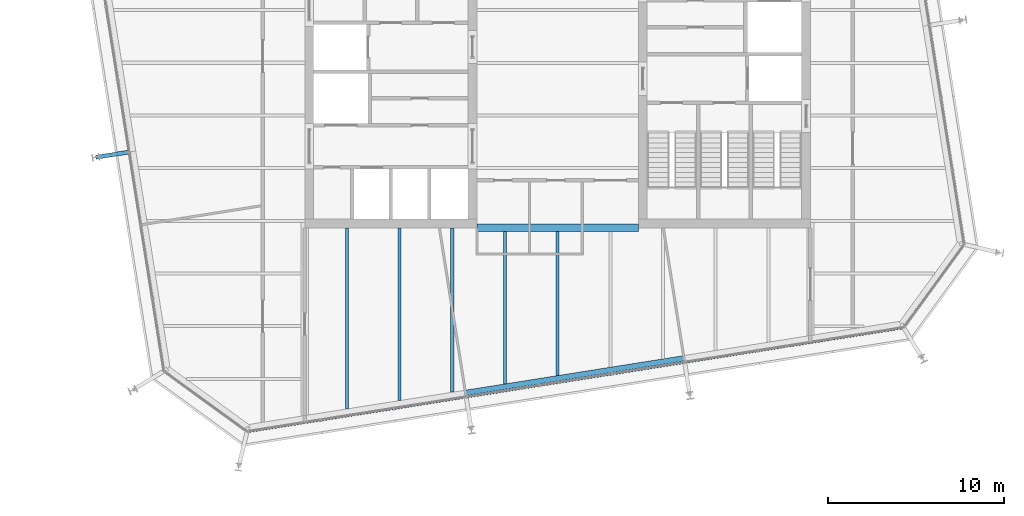
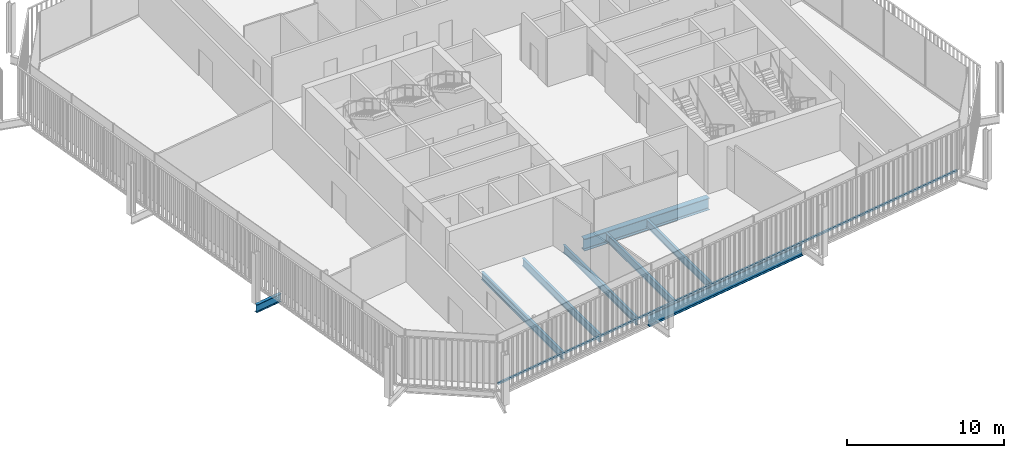
# One storey, part 3 of 20: 8 beams, 1 member, 1 element without a shape of its own.
"""IFC4 building model written with IfcOpenShell, lengths in metres."""

from ifc_helpers import new_model, si_unit, direction, frame, origin, origin_2d, place, context, subcontext, project, spatial, rectangle, i_section, extrude, material, layer, layer_set, material_profile, profile_set, type_object, element, aggregate, save


model = new_model("IFC4")

# Units and contexts
model_context = context("Model", 3, precision=1e-05, world=origin(), true_north=direction((0.0, 1.0)))
body_context = subcontext(model_context, "Body", "Model", "MODEL_VIEW")
ifc_project = project(units=[si_unit("LENGTHUNIT", "METRE"), si_unit("AREAUNIT", "SQUARE_METRE"), si_unit("VOLUMEUNIT", "CUBIC_METRE"), si_unit("PLANEANGLEUNIT", "RADIAN"), si_unit("MASSUNIT", "GRAM", prefix="KILO")], contexts=[model_context])

# Site, building, storey
site_placement = place(None, origin())
site = spatial("IfcSite", under=ifc_project, at=site_placement, CompositionType="ELEMENT")
building_placement = place(site_placement, origin())
building = spatial("IfcBuilding", under=site, at=building_placement, Name="Millrace Tower", CompositionType="ELEMENT")
storey_placement = place(building_placement, frame((0.0, 0.0, 259.10009765625)))
storey = spatial("IfcBuildingStorey", under=building, at=storey_placement, Name="L59", CompositionType="ELEMENT", Elevation=259.10009765625)

# Curtain wall, member
ifc_material_1 = material(Name="Aluminium and glass", Category="aluminium")
ifc_layer = layer(ifc_material_1, 0.14990234375)
ifc_layer_set = layer_set([ifc_layer], Name="Aluminium and glass")
curtain_wall_type = type_object("IfcCurtainWallType", Name="CW-1 office vision curtain wall", PredefinedType="NOTDEFINED", material=ifc_layer_set)
curtain_wall_placement = place(storey_placement, origin())
curtain_wall = element("IfcCurtainWall", 1, at=curtain_wall_placement, inside=storey, type_object=curtain_wall_type, Name="Curtain wall D-F02 L59", PredefinedType="NOTDEFINED")
ifc_material_2 = material(Name="Aluminium", Category="aluminium")
ifc_material_profile_1 = material_profile(ifc_material_2, rectangle(XDim=0.14990234375, YDim=0.139892578125, at=origin_2d()))
ifc_profile_set_1 = profile_set([ifc_material_profile_1], Name="Aluminium")
member_type = type_object("IfcMemberType", Name="CW-1 office vision curtain wall transom", PredefinedType="USERDEFINED", material=ifc_profile_set_1)
member_placement = place(storey_placement, frame((-17.558837890625, -20.98193359375, 0.06982421875), z_axis=(0.987687829698, 0.156437690685, 0.0), x_axis=(-0.156437690685, 0.987687829698, 0.0)))
member = element("IfcMember", 2, at=member_placement, type_object=member_type, Name="CW1 transom D-F02.1", ObjectType="TRANSOM", PredefinedType="USERDEFINED", context=body_context, shape_type="SweptSolid", body=[
    extrude(rectangle(XDim=0.14990234375, YDim=0.139892578125, at=origin_2d()), origin(), (0.0, 0.0, 1.0), 37.60009765625),
])
aggregate(curtain_wall, [member])

# Beams
ifc_material_3 = material(Name="Steel ASTM A992 Grade 50", Category="steel")
ifc_material_profile_2 = material_profile(ifc_material_3, i_section(OverallWidth=0.177978515625, OverallDepth=0.599365234375, WebThickness=0.010009765625, FlangeThickness=0.012939453125, FilletRadius=0.012939453125, at=origin_2d()))
ifc_profile_set_2 = profile_set([ifc_material_profile_2], Name="Steel ASTM A992 Grade 50")
beam_type_1 = type_object("IfcBeamType", Name="Floor beam W24x55", PredefinedType="JOIST", material=ifc_profile_set_2)
beam_1_placement = place(storey_placement, frame((-9.0, -19.2392578125, -0.459716796875), z_axis=(0.0, 1.0, 0.0), x_axis=(-1.0, 0.0, 0.0)))
element("IfcBeam", 3, at=beam_1_placement, inside=storey, type_object=beam_type_1, Name="BM-D-L59-S1-S039", PredefinedType="JOIST", context=body_context, shape_type="SweptSolid", body=[
    extrude(i_section(OverallWidth=0.177978515625, OverallDepth=0.599365234375, WebThickness=0.010009765625, FlangeThickness=0.012939453125, FilletRadius=0.012939453125, at=origin_2d()), origin(), (0.0, 0.0, 1.0), 9.83935546875),
])
beam_2_placement = place(storey_placement, frame((-6.0, -18.763916015625, -0.459716796875), z_axis=(0.0, 1.0, 0.0), x_axis=(-1.0, 0.0, 0.0)))
element("IfcBeam", 4, at=beam_2_placement, inside=storey, type_object=beam_type_1, Name="BM-D-L59-S1-S041", PredefinedType="JOIST", context=body_context, shape_type="SweptSolid", body=[
    extrude(i_section(OverallWidth=0.177978515625, OverallDepth=0.599365234375, WebThickness=0.010009765625, FlangeThickness=0.012939453125, FilletRadius=0.012939453125, at=origin_2d()), origin(), (0.0, 0.0, 1.0), 9.364013671875),
])
beam_3_placement = place(storey_placement, frame((-3.0, -18.288818359375, -0.459716796875), z_axis=(0.0, 1.0, 0.0), x_axis=(-1.0, 0.0, 0.0)))
element("IfcBeam", 5, at=beam_3_placement, inside=storey, type_object=beam_type_1, Name="BM-D-L59-S1-S043", PredefinedType="JOIST", context=body_context, shape_type="SweptSolid", body=[
    extrude(i_section(OverallWidth=0.177978515625, OverallDepth=0.599365234375, WebThickness=0.010009765625, FlangeThickness=0.012939453125, FilletRadius=0.012939453125, at=origin_2d()), origin(), (0.0, 0.0, 1.0), 8.67919921875),
])
beam_4_placement = place(storey_placement, frame((0.0, -17.813720703125, -0.459716796875), z_axis=(0.0, 1.0, 0.0), x_axis=(-1.0, 0.0, 0.0)))
element("IfcBeam", 6, at=beam_4_placement, inside=storey, type_object=beam_type_1, Name="BM-D-L59-S1-S045", PredefinedType="JOIST", context=body_context, shape_type="SweptSolid", body=[
    extrude(i_section(OverallWidth=0.177978515625, OverallDepth=0.599365234375, WebThickness=0.010009765625, FlangeThickness=0.012939453125, FilletRadius=0.012939453125, at=origin_2d()), origin(), (0.0, 0.0, 1.0), 8.2041015625),
])
ifc_material_4 = material(Name="Steel ASTM A992 Grade 50", Category="steel")
ifc_material_profile_3 = material_profile(ifc_material_4, i_section(OverallWidth=0.1787109375, OverallDepth=0.60205078125, WebThickness=0.010986328125, FlangeThickness=0.014892578125, FilletRadius=0.0126953125, at=origin_2d()))
ifc_profile_set_3 = profile_set([ifc_material_profile_3], Name="Steel ASTM A992 Grade 50")
beam_type_2 = type_object("IfcBeamType", Name="Floor beam W24x62", PredefinedType="JOIST", material=ifc_profile_set_3)
beam_5_placement = place(storey_placement, frame((-12.0, -19.71435546875, -0.461181640625), z_axis=(0.0, 1.0, 0.0), x_axis=(-1.0, 0.0, 0.0)))
element("IfcBeam", 7, at=beam_5_placement, inside=storey, type_object=beam_type_2, Name="BM-D-L59-S1-S037", PredefinedType="JOIST", context=body_context, shape_type="SweptSolid", body=[
    extrude(i_section(OverallWidth=0.1787109375, OverallDepth=0.60205078125, WebThickness=0.010986328125, FlangeThickness=0.014892578125, FilletRadius=0.0126953125, at=origin_2d()), origin(), (0.0, 0.0, 1.0), 10.314453125),
])
ifc_material_5 = material(Name="Steel ASTM A992 Grade 50", Category="steel")
ifc_material_profile_4 = material_profile(ifc_material_5, i_section(OverallWidth=0.419189453125, OverallDepth=0.927001953125, WebThickness=0.019287109375, FlangeThickness=0.031982421875, FilletRadius=0.024169921875, at=origin_2d()))
ifc_profile_set_4 = profile_set([ifc_material_profile_4], Name="Steel ASTM A992 Grade 50")
beam_type_3 = type_object("IfcBeamType", Name="Girder short span W36x231", PredefinedType="BEAM", material=ifc_profile_set_4)
beam_6_placement = place(storey_placement, frame((-4.60009765625, -9.39990234375, -0.62353515625), z_axis=(1.0, 0.0, 0.0), x_axis=(0.0, 1.0, 0.0)))
element("IfcBeam", 8, at=beam_6_placement, inside=storey, type_object=beam_type_3, Name="BM-D-L59-S1-G059", PredefinedType="BEAM", context=body_context, shape_type="SweptSolid", body=[
    extrude(i_section(OverallWidth=0.419189453125, OverallDepth=0.927001953125, WebThickness=0.019287109375, FlangeThickness=0.031982421875, FilletRadius=0.024169921875, at=origin_2d()), origin(), (0.0, 0.0, 1.0), 9.2001953125),
])
ifc_material_6 = material(Name="Steel ASTM A992 Grade 50", Category="steel")
ifc_material_profile_5 = material_profile(ifc_material_6, i_section(OverallWidth=0.23046875, OverallDepth=0.6171875, WebThickness=0.01318359375, FlangeThickness=0.022216796875, FilletRadius=0.012939453125, at=origin_2d()))
ifc_profile_set_5 = profile_set([ifc_material_profile_5], Name="Steel ASTM A992 Grade 50")
beam_type_4 = type_object("IfcBeamType", Name="Link beam W24x94", PredefinedType="BEAM", material=ifc_profile_set_5)
beam_7_placement = place(storey_placement, frame((-24.331298828125, -5.0703125, -0.46875), z_axis=(-0.987678691416, -0.156495375404, 0.0), x_axis=(0.156495375404, -0.987678691416, 0.0)))
element("IfcBeam", 9, at=beam_7_placement, inside=storey, type_object=beam_type_4, Name="LNK-D-L59-S1-02", PredefinedType="BEAM", context=body_context, shape_type="SweptSolid", body=[
    extrude(i_section(OverallWidth=0.23046875, OverallDepth=0.6171875, WebThickness=0.01318359375, FlangeThickness=0.022216796875, FilletRadius=0.012939453125, at=origin_2d()), origin(), (0.0, 0.0, 1.0), 2.0),
])
ifc_material_7 = material(Name="Steel ASTM A992 Grade 50", Category="steel")
ifc_material_profile_6 = material_profile(ifc_material_7, i_section(OverallWidth=0.307373046875, OverallDepth=0.927001953125, WebThickness=0.01953125, FlangeThickness=0.031982421875, FilletRadius=0.01904296875, at=origin_2d()))
ifc_profile_set_6 = profile_set([ifc_material_profile_6], Name="Steel ASTM A992 Grade 50")
beam_type_5 = type_object("IfcBeamType", Name="Ring beam medium span W36x194", PredefinedType="SPANDREL", material=ifc_profile_set_6)
beam_8_placement = place(storey_placement, frame((7.1962890625, -16.82958984375, -0.62353515625), z_axis=(-0.987689802912, -0.156425232058, 0.0), x_axis=(0.156425232058, -0.987689802912, 0.0)))
element("IfcBeam", 10, at=beam_8_placement, inside=storey, type_object=beam_type_5, Name="RNG-D-L59-S1-14", PredefinedType="SPANDREL", context=body_context, shape_type="SweptSolid", body=[
    extrude(i_section(OverallWidth=0.307373046875, OverallDepth=0.927001953125, WebThickness=0.01953125, FlangeThickness=0.031982421875, FilletRadius=0.01904296875, at=origin_2d()), origin(), (0.0, 0.0, 1.0), 12.599853515625),
])

save(model, "model.ifc")
